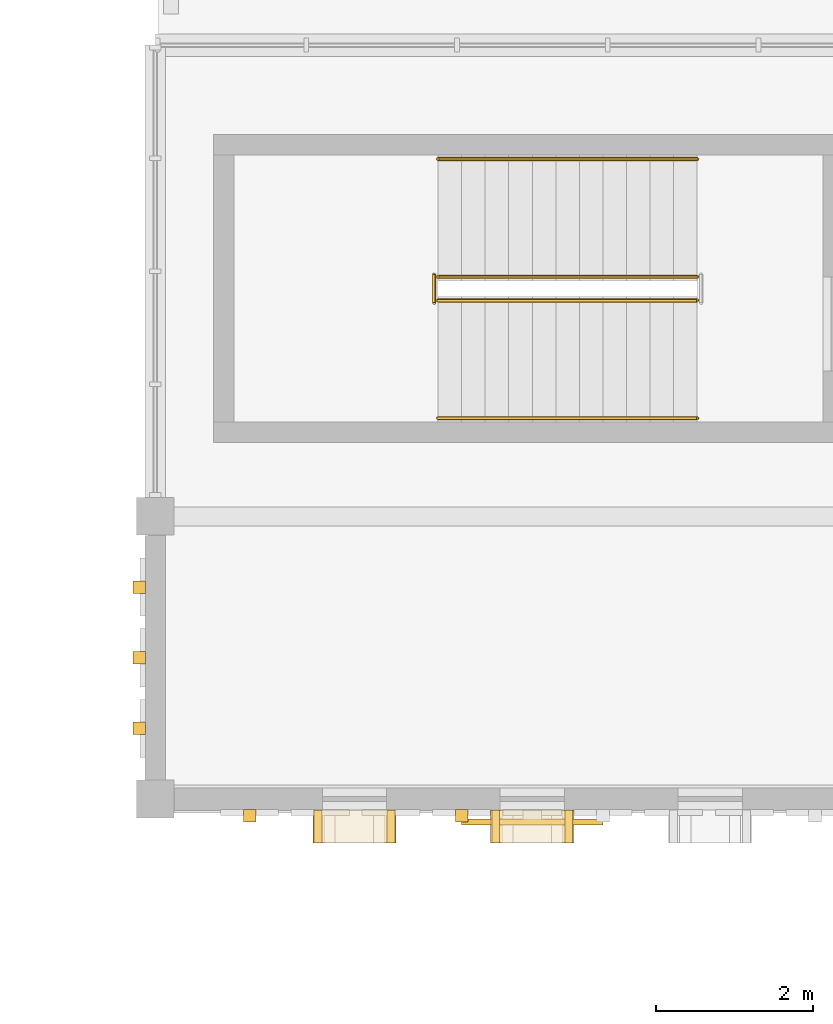
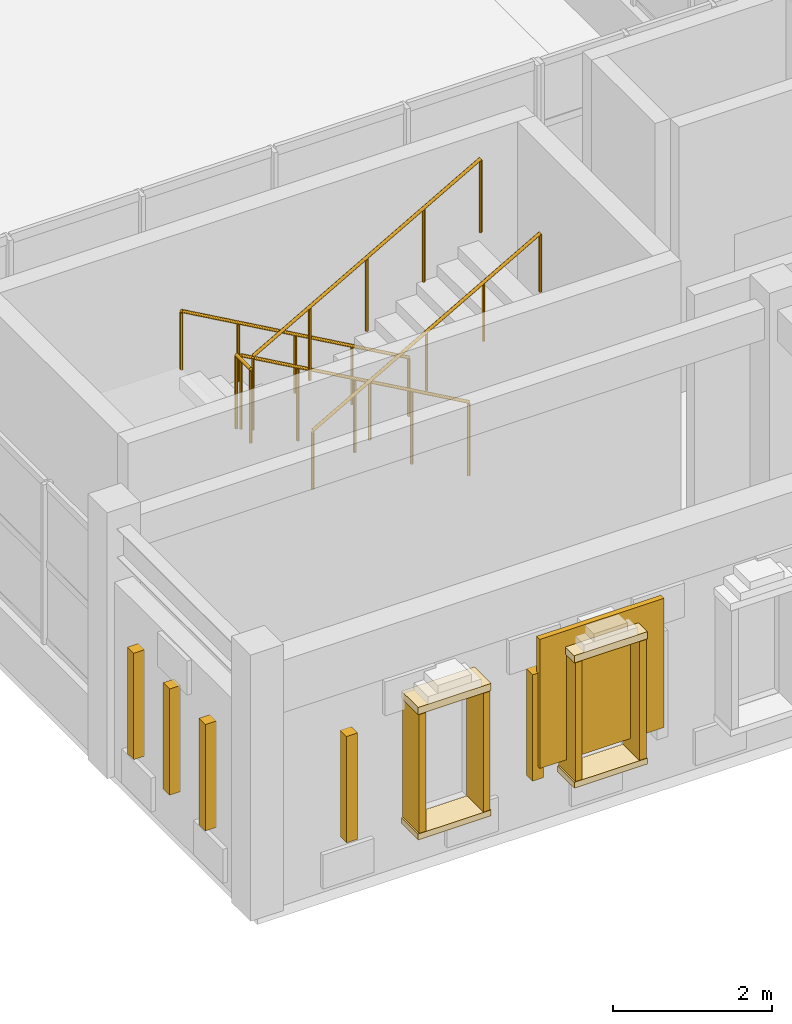
# One storey, part 69 of 79: 13 coverings, 5 railings, 1 shading device.
"""IFC4 building model written with IfcOpenShell, lengths in metres."""

from ifc_helpers import new_model, si_unit, direction, frame, origin, origin_2d, place, context, subcontext, project, spatial, rectangle, circle, extrude, material, layer, layer_set, type_object, element, save


model = new_model("IFC4")

# Units and contexts
model_context = context("Model", 3, precision=1e-05, world=origin(), true_north=direction((0.0, 1.0)))
body_context = subcontext(model_context, "Body", "Model", "MODEL_VIEW")
ifc_project = project(units=[si_unit("LENGTHUNIT", "METRE"), si_unit("AREAUNIT", "SQUARE_METRE"), si_unit("VOLUMEUNIT", "CUBIC_METRE"), si_unit("PLANEANGLEUNIT", "RADIAN"), si_unit("MASSUNIT", "GRAM", prefix="KILO")], contexts=[model_context])

# Site, building, storey
site_placement = place(None, origin())
site = spatial("IfcSite", under=ifc_project, at=site_placement, CompositionType="ELEMENT")
building_placement = place(site_placement, origin())
building = spatial("IfcBuilding", under=site, at=building_placement, Name="Nzembalo Square Collegiate School", CompositionType="ELEMENT")
storey_placement = place(building_placement, frame((0.0, 0.0, 9.52001953125)))
storey = spatial("IfcBuildingStorey", under=building, at=storey_placement, Name="L02", CompositionType="ELEMENT", Elevation=9.52001953125)

# Coverings
ifc_material_1 = material(Name="Glazed ochre ceramic lancet rib")
ifc_layer_1 = layer(ifc_material_1, 0.159912109375, Name="Glazed ochre ceramic lancet rib")
ifc_layer_set_1 = layer_set([ifc_layer_1], Name="Glazed ochre ceramic lancet rib")
covering_type_1 = type_object("IfcCoveringType", Name="CL02", PredefinedType="CLADDING", material=ifc_layer_set_1)
for number, where, z_axis, x_axis, name in (
    (1, (132.0, 78.987548828125, 0.760009765625), (0.0, 0.0, 1.0), (1.0, 0.0, 0.0), "Gothic ceramic rib CL02-X0152-0"),
    (2, (134.699951171875, 78.987548828125, 0.760009765625), (0.0, 0.0, 1.0), (1.0, 0.0, 0.0), "Gothic ceramic rib CL02-X0152-3"),
    (3, (130.597412109375, 80.10009765625, 0.760009765625), (0.0, 0.0, 1.0), (1.0, 0.0, 0.0), "Gothic ceramic rib CL02-Y0153-0"),
    (4, (130.597412109375, 81.0, 0.760009765625), (0.0, 0.0, 1.0), (1.0, 0.0, 0.0), "Gothic ceramic rib CL02-Y0153-1"),
    (5, (130.597412109375, 81.89990234375, 0.760009765625), (0.0, 0.0, 1.0), (1.0, 0.0, 0.0), "Gothic ceramic rib CL02-Y0153-2"),
):
    element("IfcCovering", number, at=place(storey_placement, frame(where, z_axis=z_axis, x_axis=x_axis)), inside=storey, type_object=covering_type_1, Name=name, PredefinedType="CLADDING", context=body_context, shape_type="SweptSolid", body=[
        extrude(rectangle(XDim=0.159912109375, YDim=0.159912109375, at=origin_2d()), origin(), (0.0, 0.0, 1.0), 1.62890625),
    ])
ifc_material_2 = material(Name="Glazed celadon ceramic window frame")
ifc_layer_2 = layer(ifc_material_2, 0.419921875, Name="Glazed celadon ceramic window frame")
ifc_layer_set_2 = layer_set([ifc_layer_2], Name="Glazed celadon ceramic window frame")
covering_type_2 = type_object("IfcCoveringType", Name="WF01", PredefinedType="CLADDING", material=ifc_layer_set_2)
covering_1_placement = place(storey_placement, frame((133.3359375, 78.8525390625, 2.57470703125), z_axis=(0.0, 0.0, 1.0), x_axis=(1.0, 0.0, 0.0)))
element("IfcCovering", 6, at=covering_1_placement, inside=storey, type_object=covering_type_2, Name="Deep lancet window hood WF01-0408", PredefinedType="CLADDING", context=body_context, shape_type="SweptSolid", body=[
    extrude(rectangle(XDim=1.06005859375, YDim=0.419921875, at=origin_2d()), origin(), (0.0, 0.0, 1.0), 0.110107421875),
])
covering_2_placement = place(storey_placement, frame((133.3359375, 78.8525390625, 0.65478515625), z_axis=(0.0, 0.0, 1.0), x_axis=(1.0, 0.0, 0.0)))
element("IfcCovering", 7, at=covering_2_placement, inside=storey, type_object=covering_type_2, Name="Deep lancet window sill WF01-0408", PredefinedType="CLADDING", context=body_context, shape_type="SweptSolid", body=[
    extrude(rectangle(XDim=1.06005859375, YDim=0.419921875, at=origin_2d()), origin(), (0.0, 0.0, 1.0), 0.090087890625),
])
for number, where, z_axis, x_axis, name in (
    (8, (132.87109375, 78.8525390625, 0.75), (0.0, 0.0, 1.0), (1.0, 0.0, 0.0), "Deep lancet window jamb WF01-0408L"),
    (9, (133.801025390625, 78.8525390625, 0.75), (0.0, 0.0, 1.0), (1.0, 0.0, 0.0), "Deep lancet window jamb WF01-0408R"),
):
    element("IfcCovering", number, at=place(storey_placement, frame(where, z_axis=z_axis, x_axis=x_axis)), inside=storey, type_object=covering_type_2, Name=name, PredefinedType="CLADDING", context=body_context, shape_type="SweptSolid", body=[
        extrude(rectangle(XDim=0.10009765625, YDim=0.419921875, at=origin_2d()), origin(), (0.0, 0.0, 1.0), 1.820068359375),
    ])
covering_3_placement = place(storey_placement, frame((135.60009765625, 78.8525390625, 2.57470703125), z_axis=(0.0, 0.0, 1.0), x_axis=(1.0, 0.0, 0.0)))
element("IfcCovering", 10, at=covering_3_placement, inside=storey, type_object=covering_type_2, Name="Deep lancet window hood WF01-0409", PredefinedType="CLADDING", context=body_context, shape_type="SweptSolid", body=[
    extrude(rectangle(XDim=1.06005859375, YDim=0.419921875, at=origin_2d()), origin(), (0.0, 0.0, 1.0), 0.110107421875),
])
covering_4_placement = place(storey_placement, frame((135.60009765625, 78.8525390625, 0.65478515625), z_axis=(0.0, 0.0, 1.0), x_axis=(1.0, 0.0, 0.0)))
element("IfcCovering", 11, at=covering_4_placement, inside=storey, type_object=covering_type_2, Name="Deep lancet window sill WF01-0409", PredefinedType="CLADDING", context=body_context, shape_type="SweptSolid", body=[
    extrude(rectangle(XDim=1.06005859375, YDim=0.419921875, at=origin_2d()), origin(), (0.0, 0.0, 1.0), 0.090087890625),
])
for number, where, z_axis, x_axis, name in (
    (12, (135.135009765625, 78.8525390625, 0.75), (0.0, 0.0, 1.0), (1.0, 0.0, 0.0), "Deep lancet window jamb WF01-0409L"),
    (13, (136.06494140625, 78.8525390625, 0.75), (0.0, 0.0, 1.0), (1.0, 0.0, 0.0), "Deep lancet window jamb WF01-0409R"),
):
    element("IfcCovering", number, at=place(storey_placement, frame(where, z_axis=z_axis, x_axis=x_axis)), inside=storey, type_object=covering_type_2, Name=name, PredefinedType="CLADDING", context=body_context, shape_type="SweptSolid", body=[
        extrude(rectangle(XDim=0.10009765625, YDim=0.419921875, at=origin_2d()), origin(), (0.0, 0.0, 1.0), 1.820068359375),
    ])

# Railings
ifc_material_3 = material(Name="Steel S355", Category="steel")
railing_type_1 = type_object("IfcRailingType", Name="GR01", PredefinedType="GUARDRAIL", material=ifc_material_3)
railing_1_placement = place(storey_placement, frame((137.699951171875, 85.85009765625, 0.159912109375)))
element("IfcRailing", 14, at=railing_1_placement, inside=storey, type_object=railing_type_1, Name="Stair guard GR-15-1", PredefinedType="GUARDRAIL", context=body_context, shape_type="SweptSolid", body=[
    extrude(circle(Radius=0.02392578125, at=origin_2d()), frame((0.0, 0.0, 1.1259765625), z_axis=(-0.870012062771, 0.0, 0.493030435808), x_axis=(0.0, -1.0, 0.0)), (0.0, 0.0, 1.0), 3.793212890625),
    extrude(circle(Radius=0.02099609375, at=origin_2d()), origin(), (0.0, 0.0, 1.0), 1.101806640625),
    extrude(circle(Radius=0.02099609375, at=origin_2d()), frame((-0.824951171875, 0.0, 0.467529296875)), (0.0, 0.0, 1.0), 1.101806640625),
    extrude(circle(Radius=0.02099609375, at=origin_2d()), frame((-1.64990234375, 0.0, 0.93505859375)), (0.0, 0.0, 1.0), 1.101806640625),
    extrude(circle(Radius=0.02099609375, at=origin_2d()), frame((-2.47509765625, 0.0, 1.402587890625)), (0.0, 0.0, 1.0), 1.101806640625),
    extrude(circle(Radius=0.02099609375, at=origin_2d()), frame((-3.300048828125, 0.0, 1.8701171875)), (0.0, 0.0, 1.0), 1.101806640625),
])
railing_2_placement = place(storey_placement, frame((134.35009765625, 85.52001953125, 2.034912109375)))
element("IfcRailing", 15, at=railing_2_placement, inside=storey, type_object=railing_type_1, Name="Stair guard GR-15-2", PredefinedType="GUARDRAIL", context=body_context, shape_type="SweptSolid", body=[
    extrude(circle(Radius=0.02392578125, at=origin_2d()), frame((0.0, 0.0, 1.1259765625), z_axis=(0.0, 1.0, 0.0), x_axis=(-1.0, 0.0, 0.0)), (0.0, 0.0, 1.0), 0.35986328125),
    extrude(circle(Radius=0.02099609375, at=origin_2d()), origin(), (0.0, 0.0, 1.0), 1.101806640625),
    extrude(circle(Radius=0.02099609375, at=origin_2d()), frame((0.0, 0.35986328125, 0.0)), (0.0, 0.0, 1.0), 1.101806640625),
])
railing_3_placement = place(storey_placement, frame((134.39990234375, 85.550048828125, 2.199951171875)))
element("IfcRailing", 16, at=railing_3_placement, inside=storey, type_object=railing_type_1, Name="Stair guard GR-15-3", PredefinedType="GUARDRAIL", context=body_context, shape_type="SweptSolid", body=[
    extrude(circle(Radius=0.02392578125, at=origin_2d()), frame((0.0, 0.0, 1.1259765625), z_axis=(0.870012062771, 0.0, 0.493030435808), x_axis=(0.0, 1.0, 0.0)), (0.0, 0.0, 1.0), 3.793212890625),
    extrude(circle(Radius=0.02099609375, at=origin_2d()), origin(), (0.0, 0.0, 1.0), 1.101806640625),
    extrude(circle(Radius=0.02099609375, at=origin_2d()), frame((0.824951171875, 0.0, 0.467529296875)), (0.0, 0.0, 1.0), 1.101806640625),
    extrude(circle(Radius=0.02099609375, at=origin_2d()), frame((1.64990234375, 0.0, 0.93505859375)), (0.0, 0.0, 1.0), 1.101806640625),
    extrude(circle(Radius=0.02099609375, at=origin_2d()), frame((2.47509765625, 0.0, 1.402587890625)), (0.0, 0.0, 1.0), 1.101806640625),
    extrude(circle(Radius=0.02099609375, at=origin_2d()), frame((3.300048828125, 0.0, 1.8701171875)), (0.0, 0.0, 1.0), 1.101806640625),
])
ifc_material_4 = material(Name="Steel S355", Category="steel")
railing_type_2 = type_object("IfcRailingType", Name="HR01", PredefinedType="HANDRAIL", material=ifc_material_4)
railing_4_placement = place(storey_placement, frame((137.699951171875, 87.35009765625, 0.159912109375)))
element("IfcRailing", 17, at=railing_4_placement, inside=storey, type_object=railing_type_2, Name="Stair handrail HR-15-1", PredefinedType="HANDRAIL", context=body_context, shape_type="SweptSolid", body=[
    extrude(circle(Radius=0.02392578125, at=origin_2d()), frame((0.0, 0.0, 0.89599609375), z_axis=(-0.870012062771, 0.0, 0.493030435808), x_axis=(0.0, -1.0, 0.0)), (0.0, 0.0, 1.0), 3.793212890625),
    extrude(circle(Radius=0.02099609375, at=origin_2d()), origin(), (0.0, 0.0, 1.0), 0.871826171875),
    extrude(circle(Radius=0.02099609375, at=origin_2d()), frame((-0.824951171875, 0.0, 0.467529296875)), (0.0, 0.0, 1.0), 0.871826171875),
    extrude(circle(Radius=0.02099609375, at=origin_2d()), frame((-1.64990234375, 0.0, 0.93505859375)), (0.0, 0.0, 1.0), 0.871826171875),
    extrude(circle(Radius=0.02099609375, at=origin_2d()), frame((-2.47509765625, 0.0, 1.402587890625)), (0.0, 0.0, 1.0), 0.871826171875),
    extrude(circle(Radius=0.02099609375, at=origin_2d()), frame((-3.300048828125, 0.0, 1.8701171875)), (0.0, 0.0, 1.0), 0.871826171875),
])
railing_5_placement = place(storey_placement, frame((134.39990234375, 84.050048828125, 2.199951171875)))
element("IfcRailing", 18, at=railing_5_placement, inside=storey, type_object=railing_type_2, Name="Stair handrail HR-15-2", PredefinedType="HANDRAIL", context=body_context, shape_type="SweptSolid", body=[
    extrude(circle(Radius=0.02392578125, at=origin_2d()), frame((0.0, 0.0, 0.89599609375), z_axis=(0.870012062771, 0.0, 0.493030435808), x_axis=(0.0, 1.0, 0.0)), (0.0, 0.0, 1.0), 3.793212890625),
    extrude(circle(Radius=0.02099609375, at=origin_2d()), origin(), (0.0, 0.0, 1.0), 0.871826171875),
    extrude(circle(Radius=0.02099609375, at=origin_2d()), frame((0.824951171875, 0.0, 0.467529296875)), (0.0, 0.0, 1.0), 0.871826171875),
    extrude(circle(Radius=0.02099609375, at=origin_2d()), frame((1.64990234375, 0.0, 0.93505859375)), (0.0, 0.0, 1.0), 0.871826171875),
    extrude(circle(Radius=0.02099609375, at=origin_2d()), frame((2.47509765625, 0.0, 1.402587890625)), (0.0, 0.0, 1.0), 0.871826171875),
    extrude(circle(Radius=0.02099609375, at=origin_2d()), frame((3.300048828125, 0.0, 1.8701171875)), (0.0, 0.0, 1.0), 0.871826171875),
])

# Shading device
ifc_material_5 = material(Name="Glazed celadon ceramic lancet screen")
ifc_layer_3 = layer(ifc_material_5, 0.080078125, Name="Glazed celadon ceramic lancet screen")
ifc_layer_set_3 = layer_set([ifc_layer_3], Name="Glazed celadon ceramic lancet screen")
shading_device_type = type_object("IfcShadingDeviceType", Name="SC02", PredefinedType="USERDEFINED", material=ifc_layer_set_3)
shading_device_placement = place(storey_placement, frame((135.60009765625, 78.907470703125, 0.949951171875), z_axis=(0.0, 0.0, 1.0), x_axis=(1.0, 0.0, 0.0)))
element("IfcShadingDevice", 19, at=shading_device_placement, inside=storey, type_object=shading_device_type, Name="Ceramic lancet screen SC02-002", ObjectType="SCREEN", PredefinedType="USERDEFINED", context=body_context, shape_type="SweptSolid", body=[
    extrude(rectangle(XDim=1.800048828125, YDim=0.080078125, at=origin_2d()), origin(), (0.0, 0.0, 1.0), 1.97900390625),
])

save(model, "model.ifc")
